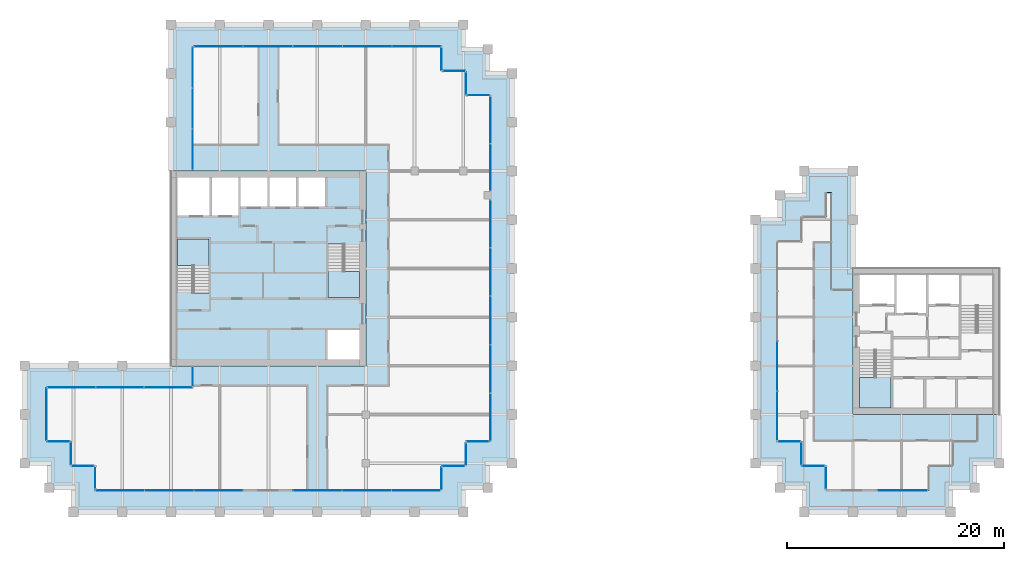
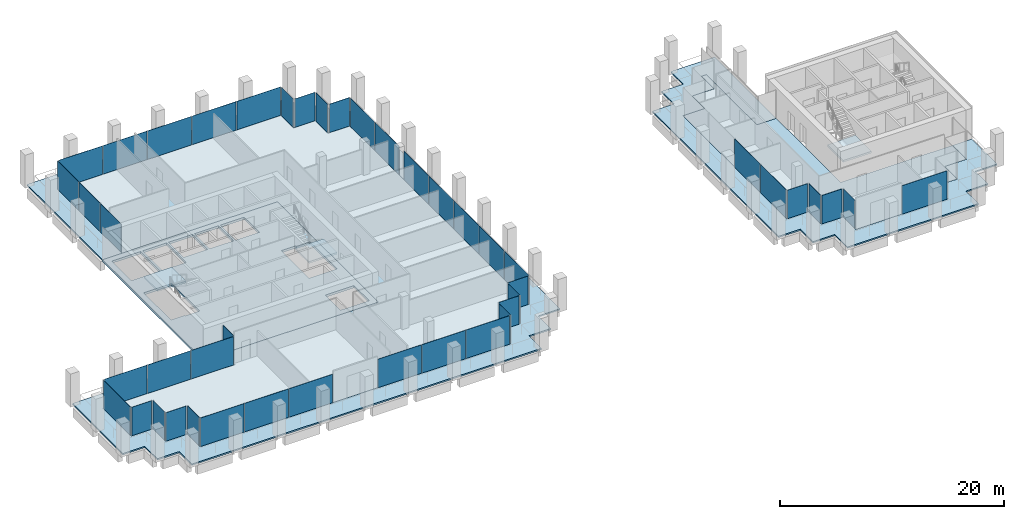
# One storey, part 34 of 40: 45 plates, 8 slabs, 30 elements without a shape of their own.
"""IFC4 building model written with IfcOpenShell, lengths in metres."""

import ifcopenshell
import ifcopenshell.guid

model = None  # the IFC model being written
_history = None  # IfcOwnerHistory: only IFC2X3 demands one
_inside = {}  # id of a spatial element -> (the spatial element, [elements in it])
_under = {}  # id of a project, library or spatial element -> (it, [spatial elements below it])
_declared = {}  # id of a project -> (the project, [libraries it declares])
_typed = {}  # id of a type object -> (the type object, [elements of that type])
_made_of = {}  # id of a material, layer set ... -> (it, [elements and type objects made of it])


def new_model(schema):
    """Start an empty IFC model of exactly this schema.

    Asked for "IFC4X3", IfcOpenShell would pick the latest addendum, in which some entities
    have other attributes; the version numbers below select the first issue.
    IFC2X3 requires an IfcOwnerHistory on every rooted entity: one is made here for all.
    """
    global model, _history
    if schema == "IFC4X3":
        model = ifcopenshell.file(schema_version=(4, 3, 0, 0))
    else:
        model = ifcopenshell.file(schema=schema)
    _inside.clear()
    _under.clear()
    _declared.clear()
    _typed.clear()
    _made_of.clear()
    _history = None
    if model.schema == "IFC2X3":
        org = make("IfcOrganization", Name="unknown")
        user = make(
            "IfcPersonAndOrganization",
            ThePerson=make("IfcPerson", FamilyName="unknown"),
            TheOrganization=org,
        )
        app = make(
            "IfcApplication",
            ApplicationDeveloper=org,
            Version="unknown",
            ApplicationFullName="unknown",
            ApplicationIdentifier="unknown",
        )
        _history = make(
            "IfcOwnerHistory",
            OwningUser=user,
            OwningApplication=app,
            ChangeAction="ADDED",
            CreationDate=0,
        )
    return model


def make(cls, **values):
    """One entity of the class cls with the attributes given. An attribute that is None is left unset."""
    return model.create_entity(
        cls, **{name: value for name, value in values.items() if value is not None}
    )


def rooted(cls, **values):
    """An entity with a GlobalId (a new one), such as an element, a storey or a relation."""
    return make(cls, GlobalId=ifcopenshell.guid.new(), OwnerHistory=_history, **values)


def si_unit(unit_type, name, prefix=None):
    """IfcSIUnit, for example si_unit("LENGTHUNIT", "METRE", prefix="MILLI")."""
    return make("IfcSIUnit", UnitType=unit_type, Prefix=prefix, Name=name)


def assignment(units):
    """IfcUnitAssignment: the units of a project."""
    return None if units is None else make("IfcUnitAssignment", Units=units)


def point(xyz):
    """IfcCartesianPoint."""
    return None if xyz is None else make("IfcCartesianPoint", Coordinates=xyz)


def direction(xyz):
    """IfcDirection."""
    return None if xyz is None else make("IfcDirection", DirectionRatios=xyz)


def frame(location, z_axis=None, x_axis=None):
    """IfcAxis2Placement3D, a coordinate frame: its origin and axes. An axis left out is left unset."""
    return make(
        "IfcAxis2Placement3D",
        Location=point(location),
        Axis=direction(z_axis),
        RefDirection=direction(x_axis),
    )


def frame_2d(location, x_axis=None):
    """IfcAxis2Placement2D, a coordinate frame in the plane: its origin and x axis."""
    return make(
        "IfcAxis2Placement2D", Location=point(location), RefDirection=direction(x_axis)
    )


def origin():
    """The frame at (0, 0, 0) with its axes left unset."""
    return frame((0.0, 0.0, 0.0))


def origin_2d():
    """The frame at (0, 0) in the plane with its x axis left unset."""
    return frame_2d((0.0, 0.0))


def place(relative_to, where):
    """IfcLocalPlacement: puts the frame where relative to a parent placement (None: the world)."""
    return make(
        "IfcLocalPlacement", PlacementRelTo=relative_to, RelativePlacement=where
    )


def context(
    kind, dimensions, precision=None, world=None, true_north=None, identifier=None
):
    """IfcGeometricRepresentationContext, for example the 3D "Model" context."""
    return make(
        "IfcGeometricRepresentationContext",
        ContextIdentifier=identifier,
        ContextType=kind,
        CoordinateSpaceDimension=dimensions,
        Precision=precision,
        WorldCoordinateSystem=world,
        TrueNorth=true_north,
    )


def subcontext(parent, identifier, kind, view, scale=None):
    """IfcGeometricRepresentationSubContext, for example "Body" below "Model"."""
    return make(
        "IfcGeometricRepresentationSubContext",
        ContextIdentifier=identifier,
        ContextType=kind,
        ParentContext=parent,
        TargetScale=scale,
        TargetView=view,
    )


def project(units=None, contexts=None):
    """IfcProject with its units and contexts."""
    return rooted(
        "IfcProject",
        Name="project",
        RepresentationContexts=contexts,
        UnitsInContext=assignment(units),
    )


def spatial(cls, under=None, at=None, **own):
    """A site, building, storey or space (cls), placed at a placement, below another one or the project."""
    s = rooted(cls, ObjectPlacement=at, **own)
    if under is not None:
        _under.setdefault(under.id(), (under, []))[1].append(s)
    return s


def polyline(points):
    """IfcPolyline through the points."""
    return make("IfcPolyline", Points=[point(p) for p in points])


def profile(cls, at=None, kind="AREA", **sizes):
    """A parametric profile (cls). Its sizes go by their IFC names, for example OverallWidth=200.0."""
    return make(cls, ProfileType=kind, Position=at, **sizes)


def rectangle(**sizes):
    """IfcRectangleProfileDef."""
    return profile("IfcRectangleProfileDef", **sizes)


def outline(outer, holes=None, kind="AREA"):
    """IfcArbitraryClosedProfileDef: a profile drawn as a closed curve; with holes, ...WithVoids."""
    if holes is None:
        return make("IfcArbitraryClosedProfileDef", ProfileType=kind, OuterCurve=outer)
    return make(
        "IfcArbitraryProfileDefWithVoids",
        ProfileType=kind,
        OuterCurve=outer,
        InnerCurves=holes,
    )


def extrude(swept, where, along, depth):
    """IfcExtrudedAreaSolid: the profile swept, set in the frame where, extruded along a direction by depth."""
    return make(
        "IfcExtrudedAreaSolid",
        SweptArea=swept,
        Position=where,
        ExtrudedDirection=direction(along),
        Depth=depth,
    )


def shape(context_of_items, identifier, shape_type, items):
    """IfcShapeRepresentation: the items that make up one representation, for example the "Body"."""
    return make(
        "IfcShapeRepresentation",
        ContextOfItems=context_of_items,
        RepresentationIdentifier=identifier,
        RepresentationType=shape_type,
        Items=items,
    )


def material(Name=None, Category=None):
    """IfcMaterial."""
    return make("IfcMaterial", Name=Name, Category=Category)


def layer(
    of_material, thickness, ventilated=None, Name=None, Category=None, Priority=None
):
    """IfcMaterialLayer: one layer of a wall or slab, of a material (None: an air gap)."""
    return make(
        "IfcMaterialLayer",
        Material=of_material,
        LayerThickness=thickness,
        IsVentilated=ventilated,
        Name=Name,
        Category=Category,
        Priority=Priority,
    )


def layer_set(layers, Name=None):
    """IfcMaterialLayerSet."""
    return make("IfcMaterialLayerSet", MaterialLayers=layers, LayerSetName=Name)


def made_of(thing, what):
    """Note that an element or type object is made of a material, layer set ...; save() writes the relation."""
    if what is not None:
        _made_of.setdefault(what.id(), (what, []))[1].append(thing)
    return thing


def type_object(cls, material=None, **own):
    """A type object (cls), such as IfcWallType, which elements share."""
    return made_of(rooted(cls, **own), material)


def element(
    cls,
    number,
    at=None,
    inside=None,
    cuts=None,
    type_object=None,
    material=None,
    context=None,
    identifier="Body",
    shape_type=None,
    held_by="IfcProductDefinitionShape",
    body=None,
    shapes=None,
    **own,
):
    """One element of the class cls, such as IfcWall. Its Tag is "e" and its number.

    at: its placement. inside: the storey or other place that contains it. cuts: it is an
    opening in that element (IfcRelVoidsElement). A single representation is given by context,
    identifier, shape_type and body (its items); several are given by shapes. held_by: the class
    of the entity that holds the representations. save() writes the other relations.
    """
    e = rooted(cls, Tag="e%d" % number, ObjectPlacement=at, **own)
    if body is not None:
        shapes = [shape(context, identifier, shape_type, body)]
    if shapes is not None:
        e.Representation = make(held_by, Representations=shapes)
    if inside is not None:
        _inside.setdefault(inside.id(), (inside, []))[1].append(e)
    if cuts is not None:
        rooted(
            "IfcRelVoidsElement", RelatingBuildingElement=cuts, RelatedOpeningElement=e
        )
    if type_object is not None:
        _typed.setdefault(type_object.id(), (type_object, []))[1].append(e)
    return made_of(e, material)


def aggregate(whole, parts):
    """IfcRelAggregates: a whole, such as a stair, and the parts it consists of."""
    return rooted("IfcRelAggregates", RelatingObject=whole, RelatedObjects=parts)


def save(model, path):
    """Write the relations noted so far, then the file.

    IfcRelAggregates (storeys below a building ...), IfcRelContainedInSpatialStructure (elements
    in a storey), IfcRelDefinesByType, IfcRelAssociatesMaterial and IfcRelDeclares: one each for
    every whole, place, type object, material and project.
    """
    for whole, parts in _under.values():
        aggregate(whole, parts)
    for where, things in _inside.values():
        rooted(
            "IfcRelContainedInSpatialStructure",
            RelatedElements=things,
            RelatingStructure=where,
        )
    for kind, things in _typed.values():
        rooted("IfcRelDefinesByType", RelatedObjects=things, RelatingType=kind)
    for what, things in _made_of.values():
        rooted("IfcRelAssociatesMaterial", RelatedObjects=things, RelatingMaterial=what)
    for by, libraries in _declared.values():
        rooted("IfcRelDeclares", RelatingContext=by, RelatedDefinitions=libraries)
    model.write(path)


model = new_model("IFC4")

# Units and contexts
model_context = context("Model", 3, precision=1e-05, world=origin(), true_north=direction((0.0, 1.0)))
body_context = subcontext(model_context, "Body", "Model", "MODEL_VIEW")
ifc_project = project(units=[si_unit("LENGTHUNIT", "METRE"), si_unit("AREAUNIT", "SQUARE_METRE"), si_unit("VOLUMEUNIT", "CUBIC_METRE"), si_unit("PLANEANGLEUNIT", "RADIAN"), si_unit("MASSUNIT", "GRAM", prefix="KILO")], contexts=[model_context])

# Site, building, storey
site_placement = place(None, origin())
site = spatial("IfcSite", under=ifc_project, at=site_placement, CompositionType="ELEMENT")
building_placement = place(site_placement, origin())
building = spatial("IfcBuilding", under=site, at=building_placement, Name="Altepetl Exchange Towers", CompositionType="ELEMENT")
storey_placement = place(building_placement, frame((0.0, 0.0, 151.0)))
storey = spatial("IfcBuildingStorey", under=building, at=storey_placement, Name="L37", CompositionType="ELEMENT", Elevation=151.0)

# Slabs
ifc_material_1 = material(Name="Concrete C40/50", Category="concrete")
ifc_layer_1 = layer(ifc_material_1, 0.14990234375)
ifc_layer_set_1 = layer_set([ifc_layer_1], Name="Concrete C40/50")
slab_type_1 = type_object("IfcSlabType", Name="Composite floor slab 150", PredefinedType="FLOOR", material=ifc_layer_set_1)
slab_1_placement = place(storey_placement, frame((0.0, 0.0, -0.14990234375)))
element("IfcSlab", 1, at=slab_1_placement, inside=storey, type_object=slab_type_1, Name="slab:A:L37:strip0", PredefinedType="FLOOR", context=body_context, shape_type="SweptSolid", body=[
    extrude(outline(polyline([(42.5, 70.0), (42.5, 58.5), (58.5, 58.5), (58.5, 40.5), (42.5, 40.5), (42.5, 38.5), (29.0, 38.5), (29.0, 33.5), (31.25, 33.5), (31.25, 31.25), (33.5, 31.25), (33.5, 29.0), (65.5, 29.0), (65.5, 31.25), (67.75, 31.25), (67.75, 33.5), (70.0, 33.5), (70.0, 65.5), (67.75, 65.5), (67.75, 67.75), (65.5, 67.75), (65.5, 70.0), (42.5, 70.0)])), origin(), (0.0, 0.0, 1.0), 0.14990234375),
])
slab_2_placement = place(storey_placement, frame((0.0, 0.0, -0.14990234375)))
element("IfcSlab", 2, at=slab_2_placement, inside=storey, type_object=slab_type_1, Name="slab:B:L37:strip0", PredefinedType="FLOOR", context=body_context, shape_type="SweptSolid", body=[
    extrude(outline(polyline([(98.75, 31.25), (101.0, 31.25), (101.0, 29.0), (110.5, 29.0), (110.5, 31.25), (112.75, 31.25), (112.75, 33.5), (115.0, 33.5), (115.0, 36.0), (103.5, 36.0), (103.5, 47.5), (101.5, 47.5), (101.5, 56.5), (101.0, 56.5), (101.0, 54.25), (98.75, 54.25), (98.75, 52.0), (96.5, 52.0), (96.5, 33.5), (98.75, 33.5), (98.75, 31.25)])), origin(), (0.0, 0.0, 1.0), 0.14990234375),
])
ifc_layer_2 = layer(ifc_material_1, 0.25)
ifc_layer_set_2 = layer_set([ifc_layer_2], Name="Concrete C40/50")
slab_type_2 = type_object("IfcSlabType", Name="Core floor slab 250", PredefinedType="FLOOR", material=ifc_layer_set_2)
slab_3_placement = place(storey_placement, frame((0.0, 0.0, -0.25)))
element("IfcSlab", 3, at=slab_3_placement, inside=storey, type_object=slab_type_2, Name="slab:A:L37:core0", PredefinedType="FLOOR", context=body_context, shape_type="SweptSolid", body=[
    extrude(outline(polyline([(40.5, 40.5), (58.5, 40.5), (58.5, 58.5), (40.5, 58.5), (40.5, 40.5)]), holes=[polyline([(54.93310546875, 43.800048828125), (57.89990234375, 43.800048828125), (57.89990234375, 41.10009765625), (54.93310546875, 41.10009765625), (54.93310546875, 43.800048828125)]), polyline([(55.0, 51.7490234375), (56.5, 51.7490234375), (56.5, 51.64990234375), (57.89990234375, 51.64990234375), (57.89990234375, 46.800048828125), (55.0, 46.800048828125), (55.0, 51.7490234375)]), polyline([(44.0, 47.2509765625), (42.5, 47.2509765625), (42.5, 47.35009765625), (41.10009765625, 47.35009765625), (41.10009765625, 52.199951171875), (44.0, 52.199951171875), (44.0, 47.2509765625)]), polyline([(41.10009765625, 57.89990234375), (44.06689453125, 57.89990234375), (44.06689453125, 54.39990234375), (41.10009765625, 54.39990234375), (41.10009765625, 57.89990234375)]), polyline([(44.26708984375, 57.89990234375), (46.73291015625, 57.89990234375), (46.73291015625, 54.39990234375), (44.26708984375, 54.39990234375), (44.26708984375, 57.89990234375)]), polyline([(46.93310546875, 57.89990234375), (49.39990234375, 57.89990234375), (49.39990234375, 55.199951171875), (46.93310546875, 55.199951171875), (46.93310546875, 57.89990234375)]), polyline([(49.60009765625, 57.89990234375), (52.06689453125, 57.89990234375), (52.06689453125, 55.199951171875), (49.60009765625, 55.199951171875), (49.60009765625, 57.89990234375)]), polyline([(52.26708984375, 57.89990234375), (54.73291015625, 57.89990234375), (54.73291015625, 55.199951171875), (52.26708984375, 55.199951171875), (52.26708984375, 57.89990234375)])]), origin(), (0.0, 0.0, 1.0), 0.25),
])

# Curtain wall, plate
ifc_material_2 = material(Name="Aluminium 6063-T6 glazing", Category="aluminium")
curtain_wall_type = type_object("IfcCurtainWallType", Name="Loggia glazing system", PredefinedType="NOTDEFINED", material=ifc_material_2)
curtain_wall_1_placement = place(storey_placement, origin())
curtain_wall_1 = element("IfcCurtainWall", 4, at=curtain_wall_1_placement, inside=storey, type_object=curtain_wall_type, Name="CW1 run", PredefinedType="NOTDEFINED")
ifc_material_3 = material(Name="Glass 6-16-6 low emissivity", Category="glass")
ifc_layer_3 = layer(ifc_material_3, 0.028076171875)
ifc_layer_set_3 = layer_set([ifc_layer_3], Name="Glass 6-16-6 low emissivity")
plate_type = type_object("IfcPlateType", Name="Glass panel 28 double glazed", PredefinedType="CURTAIN_PANEL", material=ifc_layer_set_3)
plate_1_placement = place(storey_placement, frame((42.5, 39.53759765625, 0.0), z_axis=(0.0, 0.0, 1.0), x_axis=(0.0, -1.0, 0.0)))
plate_1 = element("IfcPlate", 5, at=plate_1_placement, type_object=plate_type, Name="GP1 panel", PredefinedType="CURTAIN_PANEL", context=body_context, shape_type="SweptSolid", body=[
    extrude(rectangle(XDim=1.804931640625, YDim=0.028076171875, at=origin_2d()), origin(), (0.0, 0.0, 1.0), 3.10009765625),
])
aggregate(curtain_wall_1, [plate_1])

# Curtain wall, plates
curtain_wall_2_placement = place(storey_placement, origin())
curtain_wall_2 = element("IfcCurtainWall", 6, at=curtain_wall_2_placement, inside=storey, type_object=curtain_wall_type, Name="CW1 run", PredefinedType="NOTDEFINED")
plate_2_placement = place(storey_placement, frame((40.24755859375, 38.5, 0.0), z_axis=(0.0, 0.0, 1.0), x_axis=(-1.0, 0.0, 0.0)))
plate_2 = element("IfcPlate", 7, at=plate_2_placement, type_object=plate_type, Name="GP1 panel", PredefinedType="CURTAIN_PANEL", context=body_context, shape_type="SweptSolid", body=[
    extrude(rectangle(XDim=4.385009765625, YDim=0.028076171875, at=origin_2d()), origin(), (0.0, 0.0, 1.0), 3.10009765625),
])
plate_3_placement = place(storey_placement, frame((35.78759765625, 38.5, 0.0), z_axis=(0.0, 0.0, 1.0), x_axis=(-1.0, 0.0, 0.0)))
plate_3 = element("IfcPlate", 8, at=plate_3_placement, type_object=plate_type, Name="GP1 panel", PredefinedType="CURTAIN_PANEL", context=body_context, shape_type="SweptSolid", body=[
    extrude(rectangle(XDim=4.4150390625, YDim=0.028076171875, at=origin_2d()), origin(), (0.0, 0.0, 1.0), 3.10009765625),
])
plate_4_placement = place(storey_placement, frame((31.327392578125, 38.5, 0.0), z_axis=(0.0, 0.0, 1.0), x_axis=(-1.0, 0.0, 0.0)))
plate_4 = element("IfcPlate", 9, at=plate_4_placement, type_object=plate_type, Name="GP1 panel", PredefinedType="CURTAIN_PANEL", context=body_context, shape_type="SweptSolid", body=[
    extrude(rectangle(XDim=4.385009765625, YDim=0.028076171875, at=origin_2d()), origin(), (0.0, 0.0, 1.0), 3.10009765625),
])
aggregate(curtain_wall_2, [plate_2, plate_3, plate_4])

# Curtain wall, plate
curtain_wall_3_placement = place(storey_placement, origin())
curtain_wall_3 = element("IfcCurtainWall", 10, at=curtain_wall_3_placement, inside=storey, type_object=curtain_wall_type, Name="CW1 run", PredefinedType="NOTDEFINED")
plate_5_placement = place(storey_placement, frame((29.0, 36.03759765625, 0.0), z_axis=(0.0, 0.0, 1.0), x_axis=(0.0, -1.0, 0.0)))
plate_5 = element("IfcPlate", 11, at=plate_5_placement, type_object=plate_type, Name="GP1 panel", PredefinedType="CURTAIN_PANEL", context=body_context, shape_type="SweptSolid", body=[
    extrude(rectangle(XDim=4.804931640625, YDim=0.028076171875, at=origin_2d()), origin(), (0.0, 0.0, 1.0), 3.10009765625),
])
aggregate(curtain_wall_3, [plate_5])

curtain_wall_4_placement = place(storey_placement, origin())
curtain_wall_4 = element("IfcCurtainWall", 12, at=curtain_wall_4_placement, inside=storey, type_object=curtain_wall_type, Name="CW1 run", PredefinedType="NOTDEFINED")
plate_6_placement = place(storey_placement, frame((30.08740234375, 33.5, 0.0)))
plate_6 = element("IfcPlate", 13, at=plate_6_placement, type_object=plate_type, Name="GP1 panel", PredefinedType="CURTAIN_PANEL", context=body_context, shape_type="SweptSolid", body=[
    extrude(rectangle(XDim=2.054931640625, YDim=0.028076171875, at=origin_2d()), origin(), (0.0, 0.0, 1.0), 3.10009765625),
])
aggregate(curtain_wall_4, [plate_6])

curtain_wall_5_placement = place(storey_placement, origin())
curtain_wall_5 = element("IfcCurtainWall", 14, at=curtain_wall_5_placement, inside=storey, type_object=curtain_wall_type, Name="CW1 run", PredefinedType="NOTDEFINED")
plate_7_placement = place(storey_placement, frame((31.25, 32.41259765625, 0.0), z_axis=(0.0, 0.0, 1.0), x_axis=(0.0, -1.0, 0.0)))
plate_7 = element("IfcPlate", 15, at=plate_7_placement, type_object=plate_type, Name="GP1 panel", PredefinedType="CURTAIN_PANEL", context=body_context, shape_type="SweptSolid", body=[
    extrude(rectangle(XDim=2.054931640625, YDim=0.028076171875, at=origin_2d()), origin(), (0.0, 0.0, 1.0), 3.10009765625),
])
aggregate(curtain_wall_5, [plate_7])

curtain_wall_6_placement = place(storey_placement, origin())
curtain_wall_6 = element("IfcCurtainWall", 16, at=curtain_wall_6_placement, inside=storey, type_object=curtain_wall_type, Name="CW1 run", PredefinedType="NOTDEFINED")
plate_8_placement = place(storey_placement, frame((32.33740234375, 31.25, 0.0)))
plate_8 = element("IfcPlate", 17, at=plate_8_placement, type_object=plate_type, Name="GP1 panel", PredefinedType="CURTAIN_PANEL", context=body_context, shape_type="SweptSolid", body=[
    extrude(rectangle(XDim=2.054931640625, YDim=0.028076171875, at=origin_2d()), origin(), (0.0, 0.0, 1.0), 3.10009765625),
])
aggregate(curtain_wall_6, [plate_8])

curtain_wall_7_placement = place(storey_placement, origin())
curtain_wall_7 = element("IfcCurtainWall", 18, at=curtain_wall_7_placement, inside=storey, type_object=curtain_wall_type, Name="CW1 run", PredefinedType="NOTDEFINED")
plate_9_placement = place(storey_placement, frame((33.5, 30.16259765625, 0.0), z_axis=(0.0, 0.0, 1.0), x_axis=(0.0, -1.0, 0.0)))
plate_9 = element("IfcPlate", 19, at=plate_9_placement, type_object=plate_type, Name="GP1 panel", PredefinedType="CURTAIN_PANEL", context=body_context, shape_type="SweptSolid", body=[
    extrude(rectangle(XDim=2.054931640625, YDim=0.028076171875, at=origin_2d()), origin(), (0.0, 0.0, 1.0), 3.10009765625),
])
aggregate(curtain_wall_7, [plate_9])

# Curtain wall, plates
curtain_wall_8_placement = place(storey_placement, origin())
curtain_wall_8 = element("IfcCurtainWall", 20, at=curtain_wall_8_placement, inside=storey, type_object=curtain_wall_type, Name="CW1 run", PredefinedType="NOTDEFINED")
plate_10_placement = place(storey_placement, frame((35.79541015625, 29.0, 0.0)))
plate_10 = element("IfcPlate", 21, at=plate_10_placement, type_object=plate_type, Name="GP1 panel", PredefinedType="CURTAIN_PANEL", context=body_context, shape_type="SweptSolid", body=[
    extrude(rectangle(XDim=4.470703125, YDim=0.028076171875, at=origin_2d()), origin(), (0.0, 0.0, 1.0), 3.10009765625),
])
plate_11_placement = place(storey_placement, frame((40.341064453125, 29.0, 0.0)))
plate_11 = element("IfcPlate", 22, at=plate_11_placement, type_object=plate_type, Name="GP1 panel", PredefinedType="CURTAIN_PANEL", context=body_context, shape_type="SweptSolid", body=[
    extrude(rectangle(XDim=4.500732421875, YDim=0.028076171875, at=origin_2d()), origin(), (0.0, 0.0, 1.0), 3.10009765625),
])
plate_12_placement = place(storey_placement, frame((44.88671875, 29.0, 0.0)))
plate_12 = element("IfcPlate", 23, at=plate_12_placement, type_object=plate_type, Name="GP1 panel", PredefinedType="CURTAIN_PANEL", context=body_context, shape_type="SweptSolid", body=[
    extrude(rectangle(XDim=4.470703125, YDim=0.028076171875, at=origin_2d()), origin(), (0.0, 0.0, 1.0), 3.10009765625),
])
aggregate(curtain_wall_8, [plate_10, plate_11, plate_12])

curtain_wall_9_placement = place(storey_placement, origin())
curtain_wall_9 = element("IfcCurtainWall", 24, at=curtain_wall_9_placement, inside=storey, type_object=curtain_wall_type, Name="CW1 run", PredefinedType="NOTDEFINED")
plate_13_placement = place(storey_placement, frame((54.038330078125, 29.0, 0.0)))
plate_13 = element("IfcPlate", 25, at=plate_13_placement, type_object=plate_type, Name="GP1 panel", PredefinedType="CURTAIN_PANEL", context=body_context, shape_type="SweptSolid", body=[
    extrude(rectangle(XDim=4.470703125, YDim=0.028076171875, at=origin_2d()), origin(), (0.0, 0.0, 1.0), 3.10009765625),
])
plate_14_placement = place(storey_placement, frame((58.583984375, 29.0, 0.0)))
plate_14 = element("IfcPlate", 26, at=plate_14_placement, type_object=plate_type, Name="GP1 panel", PredefinedType="CURTAIN_PANEL", context=body_context, shape_type="SweptSolid", body=[
    extrude(rectangle(XDim=4.500732421875, YDim=0.028076171875, at=origin_2d()), origin(), (0.0, 0.0, 1.0), 3.10009765625),
])
plate_15_placement = place(storey_placement, frame((63.129638671875, 29.0, 0.0)))
plate_15 = element("IfcPlate", 27, at=plate_15_placement, type_object=plate_type, Name="GP1 panel", PredefinedType="CURTAIN_PANEL", context=body_context, shape_type="SweptSolid", body=[
    extrude(rectangle(XDim=4.470703125, YDim=0.028076171875, at=origin_2d()), origin(), (0.0, 0.0, 1.0), 3.10009765625),
])
aggregate(curtain_wall_9, [plate_13, plate_14, plate_15])

# Curtain wall, plate
curtain_wall_10_placement = place(storey_placement, origin())
curtain_wall_10 = element("IfcCurtainWall", 28, at=curtain_wall_10_placement, inside=storey, type_object=curtain_wall_type, Name="CW1 run", PredefinedType="NOTDEFINED")
plate_16_placement = place(storey_placement, frame((65.5, 30.08740234375, 0.0), z_axis=(0.0, 0.0, 1.0), x_axis=(0.0, 1.0, 0.0)))
plate_16 = element("IfcPlate", 29, at=plate_16_placement, type_object=plate_type, Name="GP1 panel", PredefinedType="CURTAIN_PANEL", context=body_context, shape_type="SweptSolid", body=[
    extrude(rectangle(XDim=2.054931640625, YDim=0.028076171875, at=origin_2d()), origin(), (0.0, 0.0, 1.0), 3.10009765625),
])
aggregate(curtain_wall_10, [plate_16])

curtain_wall_11_placement = place(storey_placement, origin())
curtain_wall_11 = element("IfcCurtainWall", 30, at=curtain_wall_11_placement, inside=storey, type_object=curtain_wall_type, Name="CW1 run", PredefinedType="NOTDEFINED")
plate_17_placement = place(storey_placement, frame((66.58740234375, 31.25, 0.0)))
plate_17 = element("IfcPlate", 31, at=plate_17_placement, type_object=plate_type, Name="GP1 panel", PredefinedType="CURTAIN_PANEL", context=body_context, shape_type="SweptSolid", body=[
    extrude(rectangle(XDim=2.054931640625, YDim=0.028076171875, at=origin_2d()), origin(), (0.0, 0.0, 1.0), 3.10009765625),
])
aggregate(curtain_wall_11, [plate_17])

curtain_wall_12_placement = place(storey_placement, origin())
curtain_wall_12 = element("IfcCurtainWall", 32, at=curtain_wall_12_placement, inside=storey, type_object=curtain_wall_type, Name="CW1 run", PredefinedType="NOTDEFINED")
plate_18_placement = place(storey_placement, frame((67.75, 32.33740234375, 0.0), z_axis=(0.0, 0.0, 1.0), x_axis=(0.0, 1.0, 0.0)))
plate_18 = element("IfcPlate", 33, at=plate_18_placement, type_object=plate_type, Name="GP1 panel", PredefinedType="CURTAIN_PANEL", context=body_context, shape_type="SweptSolid", body=[
    extrude(rectangle(XDim=2.054931640625, YDim=0.028076171875, at=origin_2d()), origin(), (0.0, 0.0, 1.0), 3.10009765625),
])
aggregate(curtain_wall_12, [plate_18])

curtain_wall_13_placement = place(storey_placement, origin())
curtain_wall_13 = element("IfcCurtainWall", 34, at=curtain_wall_13_placement, inside=storey, type_object=curtain_wall_type, Name="CW1 run", PredefinedType="NOTDEFINED")
plate_19_placement = place(storey_placement, frame((68.83740234375, 33.5, 0.0)))
plate_19 = element("IfcPlate", 35, at=plate_19_placement, type_object=plate_type, Name="GP1 panel", PredefinedType="CURTAIN_PANEL", context=body_context, shape_type="SweptSolid", body=[
    extrude(rectangle(XDim=2.054931640625, YDim=0.028076171875, at=origin_2d()), origin(), (0.0, 0.0, 1.0), 3.10009765625),
])
aggregate(curtain_wall_13, [plate_19])

# Curtain wall, plates
curtain_wall_14_placement = place(storey_placement, origin())
curtain_wall_14 = element("IfcCurtainWall", 36, at=curtain_wall_14_placement, inside=storey, type_object=curtain_wall_type, Name="CW1 run", PredefinedType="NOTDEFINED")
plate_20_placement = place(storey_placement, frame((70.0, 35.7529296875, 0.0), z_axis=(0.0, 0.0, 1.0), x_axis=(0.0, 1.0, 0.0)))
plate_20 = element("IfcPlate", 37, at=plate_20_placement, type_object=plate_type, Name="GP1 panel", PredefinedType="CURTAIN_PANEL", context=body_context, shape_type="SweptSolid", body=[
    extrude(rectangle(XDim=4.385986328125, YDim=0.028076171875, at=origin_2d()), origin(), (0.0, 0.0, 1.0), 3.10009765625),
])
plate_21_placement = place(storey_placement, frame((70.0, 40.214111328125, 0.0), z_axis=(0.0, 0.0, 1.0), x_axis=(0.0, 1.0, 0.0)))
plate_21 = element("IfcPlate", 38, at=plate_21_placement, type_object=plate_type, Name="GP1 panel", PredefinedType="CURTAIN_PANEL", context=body_context, shape_type="SweptSolid", body=[
    extrude(rectangle(XDim=4.416015625, YDim=0.028076171875, at=origin_2d()), origin(), (0.0, 0.0, 1.0), 3.10009765625),
])
plate_22_placement = place(storey_placement, frame((70.0, 44.68994140625, 0.0), z_axis=(0.0, 0.0, 1.0), x_axis=(0.0, 1.0, 0.0)))
plate_22 = element("IfcPlate", 39, at=plate_22_placement, type_object=plate_type, Name="GP1 panel", PredefinedType="CURTAIN_PANEL", context=body_context, shape_type="SweptSolid", body=[
    extrude(rectangle(XDim=4.416015625, YDim=0.028076171875, at=origin_2d()), origin(), (0.0, 0.0, 1.0), 3.10009765625),
])
plate_23_placement = place(storey_placement, frame((70.0, 49.166015625, 0.0), z_axis=(0.0, 0.0, 1.0), x_axis=(0.0, 1.0, 0.0)))
plate_23 = element("IfcPlate", 40, at=plate_23_placement, type_object=plate_type, Name="GP1 panel", PredefinedType="CURTAIN_PANEL", context=body_context, shape_type="SweptSolid", body=[
    extrude(rectangle(XDim=4.416015625, YDim=0.028076171875, at=origin_2d()), origin(), (0.0, 0.0, 1.0), 3.10009765625),
])
plate_24_placement = place(storey_placement, frame((70.0, 53.626953125, 0.0), z_axis=(0.0, 0.0, 1.0), x_axis=(0.0, 1.0, 0.0)))
plate_24 = element("IfcPlate", 41, at=plate_24_placement, type_object=plate_type, Name="GP1 panel", PredefinedType="CURTAIN_PANEL", context=body_context, shape_type="SweptSolid", body=[
    extrude(rectangle(XDim=4.385986328125, YDim=0.028076171875, at=origin_2d()), origin(), (0.0, 0.0, 1.0), 3.10009765625),
])
aggregate(curtain_wall_14, [plate_20, plate_21, plate_22, plate_23, plate_24])

curtain_wall_15_placement = place(storey_placement, origin())
curtain_wall_15 = element("IfcCurtainWall", 42, at=curtain_wall_15_placement, inside=storey, type_object=curtain_wall_type, Name="CW1 run", PredefinedType="NOTDEFINED")
plate_25_placement = place(storey_placement, frame((70.0, 58.836181640625, 0.0), z_axis=(0.0, 0.0, 1.0), x_axis=(0.0, 1.0, 0.0)))
plate_25 = element("IfcPlate", 43, at=plate_25_placement, type_object=plate_type, Name="GP1 panel", PredefinedType="CURTAIN_PANEL", context=body_context, shape_type="SweptSolid", body=[
    extrude(rectangle(XDim=4.3125, YDim=0.028076171875, at=origin_2d()), origin(), (0.0, 0.0, 1.0), 3.10009765625),
])
plate_26_placement = place(storey_placement, frame((70.0, 63.208740234375, 0.0), z_axis=(0.0, 0.0, 1.0), x_axis=(0.0, 1.0, 0.0)))
plate_26 = element("IfcPlate", 44, at=plate_26_placement, type_object=plate_type, Name="GP1 panel", PredefinedType="CURTAIN_PANEL", context=body_context, shape_type="SweptSolid", body=[
    extrude(rectangle(XDim=4.3125, YDim=0.028076171875, at=origin_2d()), origin(), (0.0, 0.0, 1.0), 3.10009765625),
])
aggregate(curtain_wall_15, [plate_25, plate_26])

# Curtain wall, plate
curtain_wall_16_placement = place(storey_placement, origin())
curtain_wall_16 = element("IfcCurtainWall", 45, at=curtain_wall_16_placement, inside=storey, type_object=curtain_wall_type, Name="CW1 run", PredefinedType="NOTDEFINED")
plate_27_placement = place(storey_placement, frame((68.91259765625, 65.5, 0.0), z_axis=(0.0, 0.0, 1.0), x_axis=(-1.0, 0.0, 0.0)))
plate_27 = element("IfcPlate", 46, at=plate_27_placement, type_object=plate_type, Name="GP1 panel", PredefinedType="CURTAIN_PANEL", context=body_context, shape_type="SweptSolid", body=[
    extrude(rectangle(XDim=2.054931640625, YDim=0.028076171875, at=origin_2d()), origin(), (0.0, 0.0, 1.0), 3.10009765625),
])
aggregate(curtain_wall_16, [plate_27])

curtain_wall_17_placement = place(storey_placement, origin())
curtain_wall_17 = element("IfcCurtainWall", 47, at=curtain_wall_17_placement, inside=storey, type_object=curtain_wall_type, Name="CW1 run", PredefinedType="NOTDEFINED")
plate_28_placement = place(storey_placement, frame((67.75, 66.58740234375, 0.0), z_axis=(0.0, 0.0, 1.0), x_axis=(0.0, 1.0, 0.0)))
plate_28 = element("IfcPlate", 48, at=plate_28_placement, type_object=plate_type, Name="GP1 panel", PredefinedType="CURTAIN_PANEL", context=body_context, shape_type="SweptSolid", body=[
    extrude(rectangle(XDim=2.054931640625, YDim=0.028076171875, at=origin_2d()), origin(), (0.0, 0.0, 1.0), 3.10009765625),
])
aggregate(curtain_wall_17, [plate_28])

curtain_wall_18_placement = place(storey_placement, origin())
curtain_wall_18 = element("IfcCurtainWall", 49, at=curtain_wall_18_placement, inside=storey, type_object=curtain_wall_type, Name="CW1 run", PredefinedType="NOTDEFINED")
plate_29_placement = place(storey_placement, frame((66.66259765625, 67.75, 0.0), z_axis=(0.0, 0.0, 1.0), x_axis=(-1.0, 0.0, 0.0)))
plate_29 = element("IfcPlate", 50, at=plate_29_placement, type_object=plate_type, Name="GP1 panel", PredefinedType="CURTAIN_PANEL", context=body_context, shape_type="SweptSolid", body=[
    extrude(rectangle(XDim=2.054931640625, YDim=0.028076171875, at=origin_2d()), origin(), (0.0, 0.0, 1.0), 3.10009765625),
])
aggregate(curtain_wall_18, [plate_29])

curtain_wall_19_placement = place(storey_placement, origin())
curtain_wall_19 = element("IfcCurtainWall", 51, at=curtain_wall_19_placement, inside=storey, type_object=curtain_wall_type, Name="CW1 run", PredefinedType="NOTDEFINED")
plate_30_placement = place(storey_placement, frame((65.5, 68.83740234375, 0.0), z_axis=(0.0, 0.0, 1.0), x_axis=(0.0, 1.0, 0.0)))
plate_30 = element("IfcPlate", 52, at=plate_30_placement, type_object=plate_type, Name="GP1 panel", PredefinedType="CURTAIN_PANEL", context=body_context, shape_type="SweptSolid", body=[
    extrude(rectangle(XDim=2.054931640625, YDim=0.028076171875, at=origin_2d()), origin(), (0.0, 0.0, 1.0), 3.10009765625),
])
aggregate(curtain_wall_19, [plate_30])

# Curtain wall, plates
curtain_wall_20_placement = place(storey_placement, origin())
curtain_wall_20 = element("IfcCurtainWall", 53, at=curtain_wall_20_placement, inside=storey, type_object=curtain_wall_type, Name="CW1 run", PredefinedType="NOTDEFINED")
plate_31_placement = place(storey_placement, frame((63.1923828125, 70.0, 0.0), z_axis=(0.0, 0.0, 1.0), x_axis=(-1.0, 0.0, 0.0)))
plate_31 = element("IfcPlate", 54, at=plate_31_placement, type_object=plate_type, Name="GP1 panel", PredefinedType="CURTAIN_PANEL", context=body_context, shape_type="SweptSolid", body=[
    extrude(rectangle(XDim=4.4951171875, YDim=0.028076171875, at=origin_2d()), origin(), (0.0, 0.0, 1.0), 3.10009765625),
])
plate_32_placement = place(storey_placement, frame((58.62255859375, 70.0, 0.0), z_axis=(0.0, 0.0, 1.0), x_axis=(-1.0, 0.0, 0.0)))
plate_32 = element("IfcPlate", 55, at=plate_32_placement, type_object=plate_type, Name="GP1 panel", PredefinedType="CURTAIN_PANEL", context=body_context, shape_type="SweptSolid", body=[
    extrude(rectangle(XDim=4.52490234375, YDim=0.028076171875, at=origin_2d()), origin(), (0.0, 0.0, 1.0), 3.10009765625),
])
plate_33_placement = place(storey_placement, frame((54.03759765625, 70.0, 0.0), z_axis=(0.0, 0.0, 1.0), x_axis=(-1.0, 0.0, 0.0)))
plate_33 = element("IfcPlate", 56, at=plate_33_placement, type_object=plate_type, Name="GP1 panel", PredefinedType="CURTAIN_PANEL", context=body_context, shape_type="SweptSolid", body=[
    extrude(rectangle(XDim=4.52490234375, YDim=0.028076171875, at=origin_2d()), origin(), (0.0, 0.0, 1.0), 3.10009765625),
])
plate_34_placement = place(storey_placement, frame((49.452392578125, 70.0, 0.0), z_axis=(0.0, 0.0, 1.0), x_axis=(-1.0, 0.0, 0.0)))
plate_34 = element("IfcPlate", 57, at=plate_34_placement, type_object=plate_type, Name="GP1 panel", PredefinedType="CURTAIN_PANEL", context=body_context, shape_type="SweptSolid", body=[
    extrude(rectangle(XDim=4.52490234375, YDim=0.028076171875, at=origin_2d()), origin(), (0.0, 0.0, 1.0), 3.10009765625),
])
plate_35_placement = place(storey_placement, frame((44.882568359375, 70.0, 0.0), z_axis=(0.0, 0.0, 1.0), x_axis=(-1.0, 0.0, 0.0)))
plate_35 = element("IfcPlate", 58, at=plate_35_placement, type_object=plate_type, Name="GP1 panel", PredefinedType="CURTAIN_PANEL", context=body_context, shape_type="SweptSolid", body=[
    extrude(rectangle(XDim=4.4951171875, YDim=0.028076171875, at=origin_2d()), origin(), (0.0, 0.0, 1.0), 3.10009765625),
])
aggregate(curtain_wall_20, [plate_31, plate_32, plate_33, plate_34, plate_35])

curtain_wall_21_placement = place(storey_placement, origin())
curtain_wall_21 = element("IfcCurtainWall", 59, at=curtain_wall_21_placement, inside=storey, type_object=curtain_wall_type, Name="CW1 run", PredefinedType="NOTDEFINED")
plate_36_placement = place(storey_placement, frame((42.5, 68.080810546875, 0.0), z_axis=(0.0, 0.0, 1.0), x_axis=(0.0, -1.0, 0.0)))
plate_36 = element("IfcPlate", 60, at=plate_36_placement, type_object=plate_type, Name="GP1 panel", PredefinedType="CURTAIN_PANEL", context=body_context, shape_type="SweptSolid", body=[
    extrude(rectangle(XDim=3.71826171875, YDim=0.028076171875, at=origin_2d()), origin(), (0.0, 0.0, 1.0), 3.10009765625),
])
plate_37_placement = place(storey_placement, frame((42.5, 64.28759765625, 0.0), z_axis=(0.0, 0.0, 1.0), x_axis=(0.0, -1.0, 0.0)))
plate_37 = element("IfcPlate", 61, at=plate_37_placement, type_object=plate_type, Name="GP1 panel", PredefinedType="CURTAIN_PANEL", context=body_context, shape_type="SweptSolid", body=[
    extrude(rectangle(XDim=3.748291015625, YDim=0.028076171875, at=origin_2d()), origin(), (0.0, 0.0, 1.0), 3.10009765625),
])
plate_38_placement = place(storey_placement, frame((42.5, 60.494140625, 0.0), z_axis=(0.0, 0.0, 1.0), x_axis=(0.0, -1.0, 0.0)))
plate_38 = element("IfcPlate", 62, at=plate_38_placement, type_object=plate_type, Name="GP1 panel", PredefinedType="CURTAIN_PANEL", context=body_context, shape_type="SweptSolid", body=[
    extrude(rectangle(XDim=3.71826171875, YDim=0.028076171875, at=origin_2d()), origin(), (0.0, 0.0, 1.0), 3.10009765625),
])
aggregate(curtain_wall_21, [plate_36, plate_37, plate_38])

# Curtain wall, plate
curtain_wall_22_placement = place(storey_placement, origin())
curtain_wall_22 = element("IfcCurtainWall", 63, at=curtain_wall_22_placement, inside=storey, type_object=curtain_wall_type, Name="CW1 run", PredefinedType="NOTDEFINED")
plate_39_placement = place(storey_placement, frame((101.0, 30.16259765625, 0.0), z_axis=(0.0, 0.0, 1.0), x_axis=(0.0, -1.0, 0.0)))
plate_39 = element("IfcPlate", 64, at=plate_39_placement, type_object=plate_type, Name="GP1 panel", PredefinedType="CURTAIN_PANEL", context=body_context, shape_type="SweptSolid", body=[
    extrude(rectangle(XDim=2.054931640625, YDim=0.028076171875, at=origin_2d()), origin(), (0.0, 0.0, 1.0), 3.10009765625),
])
aggregate(curtain_wall_22, [plate_39])

curtain_wall_23_placement = place(storey_placement, origin())
curtain_wall_23 = element("IfcCurtainWall", 65, at=curtain_wall_23_placement, inside=storey, type_object=curtain_wall_type, Name="CW1 run", PredefinedType="NOTDEFINED")
plate_40_placement = place(storey_placement, frame((108.06884765625, 29.0, 0.0)))
plate_40 = element("IfcPlate", 66, at=plate_40_placement, type_object=plate_type, Name="GP1 panel", PredefinedType="CURTAIN_PANEL", context=body_context, shape_type="SweptSolid", body=[
    extrude(rectangle(XDim=4.592529296875, YDim=0.028076171875, at=origin_2d()), origin(), (0.0, 0.0, 1.0), 3.10009765625),
])
aggregate(curtain_wall_23, [plate_40])

# Curtain wall, plates
curtain_wall_24_placement = place(storey_placement, origin())
curtain_wall_24 = element("IfcCurtainWall", 67, at=curtain_wall_24_placement, inside=storey, type_object=curtain_wall_type, Name="CW1 run", PredefinedType="NOTDEFINED")
plate_41_placement = place(storey_placement, frame((96.5, 40.484375, 0.0), z_axis=(0.0, 0.0, 1.0), x_axis=(0.0, -1.0, 0.0)))
plate_41 = element("IfcPlate", 68, at=plate_41_placement, type_object=plate_type, Name="GP1 panel", PredefinedType="CURTAIN_PANEL", context=body_context, shape_type="SweptSolid", body=[
    extrude(rectangle(XDim=4.546142578125, YDim=0.028076171875, at=origin_2d()), origin(), (0.0, 0.0, 1.0), 3.10009765625),
])
plate_42_placement = place(storey_placement, frame((96.5, 35.89306640625, 0.0), z_axis=(0.0, 0.0, 1.0), x_axis=(0.0, -1.0, 0.0)))
plate_42 = element("IfcPlate", 69, at=plate_42_placement, type_object=plate_type, Name="GP1 panel", PredefinedType="CURTAIN_PANEL", context=body_context, shape_type="SweptSolid", body=[
    extrude(rectangle(XDim=4.516357421875, YDim=0.028076171875, at=origin_2d()), origin(), (0.0, 0.0, 1.0), 3.10009765625),
])
aggregate(curtain_wall_24, [plate_41, plate_42])

# Curtain wall, plate
curtain_wall_25_placement = place(storey_placement, origin())
curtain_wall_25 = element("IfcCurtainWall", 70, at=curtain_wall_25_placement, inside=storey, type_object=curtain_wall_type, Name="CW1 run", PredefinedType="NOTDEFINED")
plate_43_placement = place(storey_placement, frame((97.58740234375, 33.5, 0.0)))
plate_43 = element("IfcPlate", 71, at=plate_43_placement, type_object=plate_type, Name="GP1 panel", PredefinedType="CURTAIN_PANEL", context=body_context, shape_type="SweptSolid", body=[
    extrude(rectangle(XDim=2.054931640625, YDim=0.028076171875, at=origin_2d()), origin(), (0.0, 0.0, 1.0), 3.10009765625),
])
aggregate(curtain_wall_25, [plate_43])

curtain_wall_26_placement = place(storey_placement, origin())
curtain_wall_26 = element("IfcCurtainWall", 72, at=curtain_wall_26_placement, inside=storey, type_object=curtain_wall_type, Name="CW1 run", PredefinedType="NOTDEFINED")
plate_44_placement = place(storey_placement, frame((98.75, 32.41259765625, 0.0), z_axis=(0.0, 0.0, 1.0), x_axis=(0.0, -1.0, 0.0)))
plate_44 = element("IfcPlate", 73, at=plate_44_placement, type_object=plate_type, Name="GP1 panel", PredefinedType="CURTAIN_PANEL", context=body_context, shape_type="SweptSolid", body=[
    extrude(rectangle(XDim=2.054931640625, YDim=0.028076171875, at=origin_2d()), origin(), (0.0, 0.0, 1.0), 3.10009765625),
])
aggregate(curtain_wall_26, [plate_44])

curtain_wall_27_placement = place(storey_placement, origin())
curtain_wall_27 = element("IfcCurtainWall", 74, at=curtain_wall_27_placement, inside=storey, type_object=curtain_wall_type, Name="CW1 run", PredefinedType="NOTDEFINED")
plate_45_placement = place(storey_placement, frame((99.83740234375, 31.25, 0.0)))
plate_45 = element("IfcPlate", 75, at=plate_45_placement, type_object=plate_type, Name="GP1 panel", PredefinedType="CURTAIN_PANEL", context=body_context, shape_type="SweptSolid", body=[
    extrude(rectangle(XDim=2.054931640625, YDim=0.028076171875, at=origin_2d()), origin(), (0.0, 0.0, 1.0), 3.10009765625),
])
aggregate(curtain_wall_27, [plate_45])

# Slabs
ifc_layer_4 = layer(ifc_material_1, 0.14990234375)
ifc_layer_set_4 = layer_set([ifc_layer_4], Name="Concrete C40/50")
slab_type_3 = type_object("IfcSlabType", Name="Loggia slab 150", PredefinedType="FLOOR", material=ifc_layer_set_4)
slab_4_placement = place(storey_placement, frame((0.0, 0.0, -0.14990234375)))
element("IfcSlab", 76, at=slab_4_placement, inside=storey, type_object=slab_type_3, Name="slab:A:L37:loggia0", PredefinedType="FLOOR", context=body_context, shape_type="SweptSolid", body=[
    extrude(outline(polyline([(40.5, 72.0), (40.5, 58.5), (42.5, 58.5), (42.5, 70.0), (65.5, 70.0), (65.5, 67.75), (67.75, 67.75), (67.75, 65.5), (70.0, 65.5), (70.0, 33.5), (67.75, 33.5), (67.75, 31.25), (65.5, 31.25), (65.5, 29.0), (33.5, 29.0), (33.5, 31.25), (31.25, 31.25), (31.25, 33.5), (29.0, 33.5), (29.0, 38.5), (42.5, 38.5), (42.5, 40.5), (40.5, 40.5), (27.0, 40.5), (27.0, 31.5), (29.25, 31.5), (29.25, 29.25), (31.5, 29.25), (31.5, 27.0), (58.5, 27.0), (67.5, 27.0), (67.5, 29.25), (69.75, 29.25), (69.75, 31.5), (72.0, 31.5), (72.0, 58.5), (72.0, 67.5), (69.75, 67.5), (69.75, 69.75), (67.5, 69.75), (67.5, 72.0), (40.5, 72.0)])), origin(), (0.0, 0.0, 1.0), 0.14990234375),
])
slab_5_placement = place(storey_placement, frame((0.0, 0.0, -0.14990234375)))
element("IfcSlab", 77, at=slab_5_placement, inside=storey, type_object=slab_type_3, Name="slab:B:L37:loggia0", PredefinedType="FLOOR", context=body_context, shape_type="SweptSolid", body=[
    extrude(outline(polyline([(99.0, 29.25), (99.0, 27.0), (112.5, 27.0), (112.5, 29.25), (114.75, 29.25), (114.75, 31.5), (117.0, 31.5), (117.0, 36.0), (115.0, 36.0), (115.0, 33.5), (112.75, 33.5), (112.75, 31.25), (110.5, 31.25), (110.5, 29.0), (101.0, 29.0), (101.0, 31.25), (98.75, 31.25), (98.75, 33.5), (96.5, 33.5), (96.5, 52.0), (98.75, 52.0), (98.75, 54.25), (101.0, 54.25), (101.0, 56.5), (101.5, 56.5), (101.5, 47.5), (103.5, 47.5), (103.5, 49.5), (103.5, 58.5), (99.0, 58.5), (99.0, 56.25), (96.75, 56.25), (96.75, 54.0), (94.5, 54.0), (94.5, 36.0), (94.5, 31.5), (96.75, 31.5), (96.75, 29.25), (99.0, 29.25)])), origin(), (0.0, 0.0, 1.0), 0.14990234375),
])

# Stair, slab
stair_type = type_object("IfcStairType", Name="Exit stair 1400 flights dogleg", PredefinedType="HALF_TURN_STAIR", material=ifc_material_1)
stair_1_placement = place(storey_placement, origin())
stair_1 = element("IfcStair", 78, at=stair_1_placement, inside=storey, type_object=stair_type, Name="Exit stair 1", PredefinedType="HALF_TURN_STAIR")
ifc_layer_5 = layer(ifc_material_1, 0.199951171875)
ifc_layer_set_5 = layer_set([ifc_layer_5], Name="Concrete C40/50")
slab_type_4 = type_object("IfcSlabType", Name="Stair landing 200 reinforced concrete", PredefinedType="LANDING", material=ifc_layer_set_5)
slab_6_placement = place(storey_placement, frame((0.0, 0.0, 1.60009765625)))
slab_6 = element("IfcSlab", 79, at=slab_6_placement, type_object=slab_type_4, Name="ST-A1e landing 1", PredefinedType="LANDING", context=body_context, shape_type="SweptSolid", body=[
    extrude(outline(polyline([(44.0, 49.669921875), (42.60009765625, 49.669921875), (42.60009765625, 49.77001953125), (42.5, 49.77001953125), (42.5, 49.769287109375), (41.10009765625, 49.769287109375), (41.10009765625, 49.77001953125), (41.10009765625, 52.199951171875), (44.0, 52.199951171875), (44.0, 49.77001953125), (44.0, 49.669921875)])), origin(), (0.0, 0.0, 1.0), 0.199951171875),
])
aggregate(stair_1, [slab_6])

stair_2_placement = place(storey_placement, origin())
stair_2 = element("IfcStair", 80, at=stair_2_placement, inside=storey, type_object=stair_type, Name="Exit stair 2", PredefinedType="HALF_TURN_STAIR")
slab_7_placement = place(storey_placement, frame((0.0, 0.0, 1.60009765625)))
slab_7 = element("IfcSlab", 81, at=slab_7_placement, type_object=slab_type_4, Name="ST-A2e landing 1", PredefinedType="LANDING", context=body_context, shape_type="SweptSolid", body=[
    extrude(outline(polyline([(57.89990234375, 46.800048828125), (55.0, 46.800048828125), (55.0, 49.22998046875), (55.0, 49.330078125), (56.39990234375, 49.330078125), (56.39990234375, 49.22998046875), (56.5, 49.22998046875), (56.5, 49.230712890625), (57.89990234375, 49.230712890625), (57.89990234375, 49.22998046875), (57.89990234375, 46.800048828125)])), origin(), (0.0, 0.0, 1.0), 0.199951171875),
])
aggregate(stair_2, [slab_7])

stair_3_placement = place(storey_placement, origin())
stair_3 = element("IfcStair", 82, at=stair_3_placement, inside=storey, type_object=stair_type, Name="Exit stair 1", PredefinedType="HALF_TURN_STAIR")
slab_8_placement = place(storey_placement, frame((0.0, 0.0, 1.60009765625)))
slab_8 = element("IfcSlab", 83, at=slab_8_placement, type_object=slab_type_4, Name="ST-B1e landing 1", PredefinedType="LANDING", context=body_context, shape_type="SweptSolid", body=[
    extrude(outline(polyline([(107.0, 36.60009765625), (104.10009765625, 36.60009765625), (104.10009765625, 39.429931640625), (104.10009765625, 39.4306640625), (105.5, 39.4306640625), (105.5, 39.429931640625), (105.60009765625, 39.429931640625), (105.60009765625, 39.530029296875), (107.0, 39.530029296875), (107.0, 39.429931640625), (107.0, 36.60009765625)])), origin(), (0.0, 0.0, 1.0), 0.199951171875),
])
aggregate(stair_3, [slab_8])

save(model, "model.ifc")
